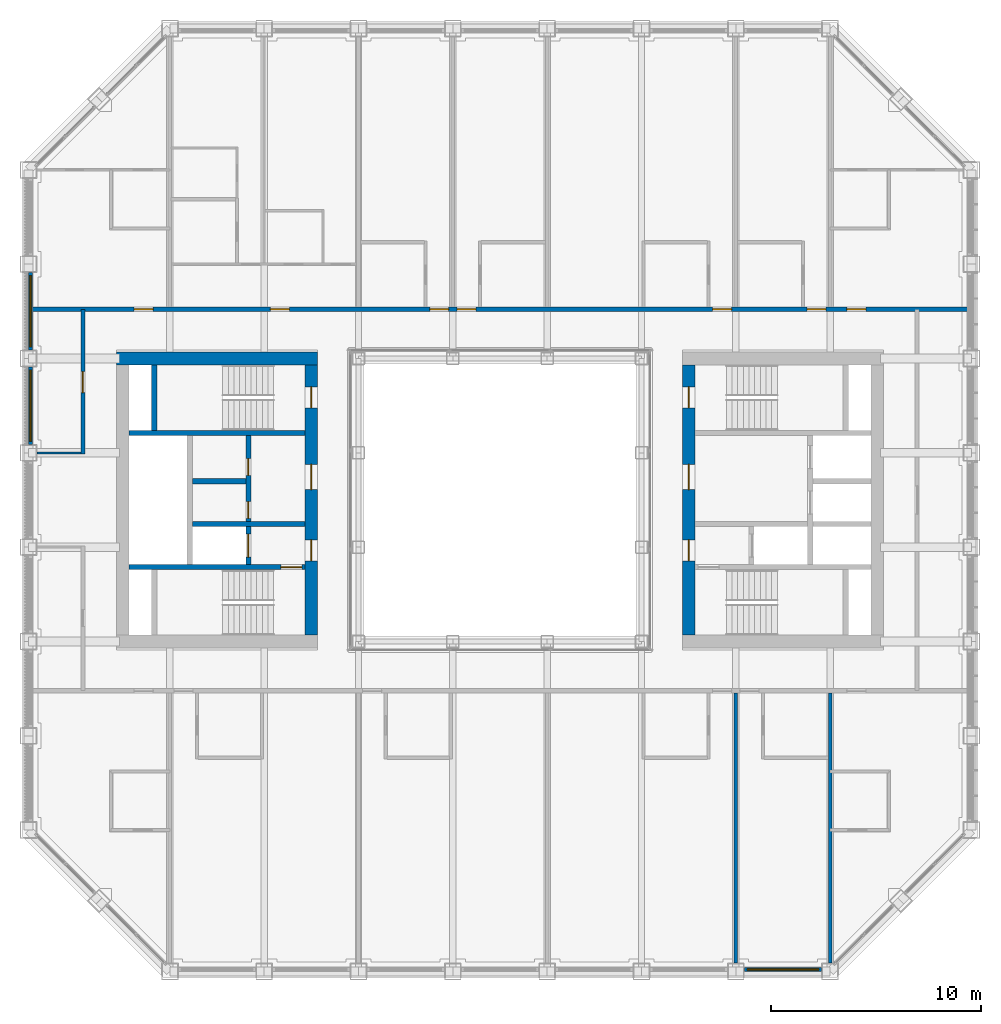
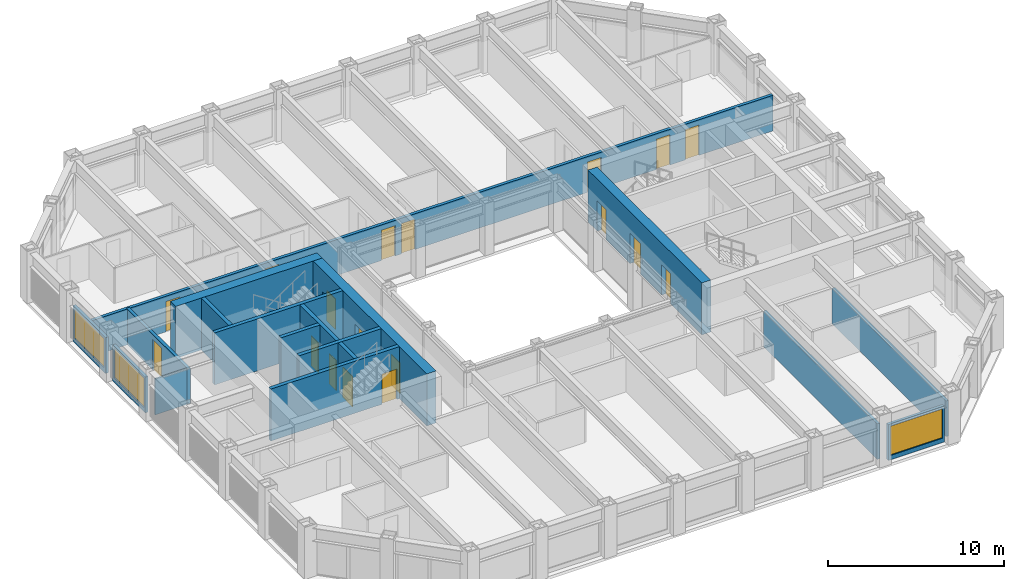
# One storey, part 11 of 17: 18 doors, 17 walls, 3 windows, 21 openings.
"""IFC4 building model written with IfcOpenShell, lengths in metres."""

from ifc_helpers import new_model, si_unit, direction, frame, frame_2d, origin, place, context, subcontext, project, spatial, rectangle, extrude, material, layer, layer_set, type_object, element, fill, save


model = new_model("IFC4")

# Units and contexts
model_context = context("Model", 3, precision=1e-05, world=origin(), true_north=direction((0.0, 1.0)))
body_context = subcontext(model_context, "Body", "Model", "MODEL_VIEW")
ifc_project = project(units=[si_unit("LENGTHUNIT", "METRE"), si_unit("AREAUNIT", "SQUARE_METRE"), si_unit("VOLUMEUNIT", "CUBIC_METRE"), si_unit("PLANEANGLEUNIT", "RADIAN"), si_unit("MASSUNIT", "GRAM", prefix="KILO")], contexts=[model_context])

# Site, building, storey
site_placement = place(None, origin())
site = spatial("IfcSite", under=ifc_project, at=site_placement, CompositionType="ELEMENT")
building_placement = place(site_placement, origin())
building = spatial("IfcBuilding", under=site, at=building_placement, Name="Msasa Ring Tower", CompositionType="ELEMENT")
storey_placement = place(building_placement, frame((0.0, 0.0, 176.0)))
storey = spatial("IfcBuildingStorey", under=building, at=storey_placement, Name="L46", CompositionType="ELEMENT", Elevation=176.0)

# Wall, openings, doors
ifc_material_1 = material(Name="Concrete C60/75", Category="concrete")
ifc_layer_1 = layer(ifc_material_1, 0.60009765625)
ifc_layer_set_1 = layer_set([ifc_layer_1], Name="CW2 CORE WALL 600")
wall_type_1 = type_object("IfcWallType", Name="CW2 CORE WALL 600", PredefinedType="SHEAR", material=ifc_layer_set_1)
wall_1_placement = place(storey_placement, frame((9.0, -6.449951171875, 0.0), z_axis=(0.0, 0.0, 1.0), x_axis=(0.0, 1.0, 0.0)))
wall_1 = element("IfcWall", 1, at=wall_1_placement, inside=storey, type_object=wall_type_1, Name="E core wall W L46", PredefinedType="SHEAR", context=body_context, shape_type="SweptSolid", body=[
    extrude(rectangle(XDim=12.89990234375, YDim=0.60009765625, at=frame_2d((6.449951171875, 0.0))), origin(), (0.0, 0.0, 1.0), 3.60009765625),
])
opening_1_placement = place(wall_1_placement, frame((3.550048828125, 0.0, 0.0)))
opening_1 = element("IfcOpeningElement", 2, at=opening_1_placement, cuts=wall_1, Name="Opening HF-030", PredefinedType="OPENING", context=body_context, shape_type="SweptSolid", body=[
    extrude(rectangle(XDim=1.0, YDim=2.10009765625, at=frame_2d((0.5, 1.050048828125))), frame((0.0, 0.31005859375, 0.0), z_axis=(0.0, -1.0, 0.0), x_axis=(1.0, 0.0, 0.0)), (0.0, 0.0, 1.0), 0.6201171875),
])
opening_2_placement = place(wall_1_placement, frame((6.949951171875, 0.0, 0.0)))
opening_2 = element("IfcOpeningElement", 3, at=opening_2_placement, cuts=wall_1, Name="Opening HF-026", PredefinedType="OPENING", context=body_context, shape_type="SweptSolid", body=[
    extrude(rectangle(XDim=1.199951171875, YDim=2.10009765625, at=frame_2d((0.60009765625, 1.050048828125))), frame((0.0, 0.31005859375, 0.0), z_axis=(0.0, -1.0, 0.0), x_axis=(1.0, 0.0, 0.0)), (0.0, 0.0, 1.0), 0.6201171875),
])
opening_3_placement = place(wall_1_placement, frame((10.85009765625, 0.0, 0.0)))
opening_3 = element("IfcOpeningElement", 4, at=opening_3_placement, cuts=wall_1, Name="Opening HF-023", PredefinedType="OPENING", context=body_context, shape_type="SweptSolid", body=[
    extrude(rectangle(XDim=1.0, YDim=2.10009765625, at=frame_2d((0.5, 1.050048828125))), frame((0.0, 0.31005859375, 0.0), z_axis=(0.0, -1.0, 0.0), x_axis=(1.0, 0.0, 0.0)), (0.0, 0.0, 1.0), 0.6201171875),
])
ifc_material_2 = material(Name="Timber door leaf in a steel frame", Category="steel")
door_type_1 = type_object("IfcDoorType", Name="D4 LOBBY DOOR 1000x2100", OperationType="SINGLE_SWING_LEFT", PredefinedType="DOOR", material=ifc_material_2)
door_1_placement = place(opening_1_placement, origin())
door_1 = element("IfcDoor", 5, at=door_1_placement, inside=storey, type_object=door_type_1, Name="Door L46-EFFL", OperationType="SINGLE_SWING_LEFT", OverallHeight=2.10009765625, OverallWidth=1.0, PredefinedType="DOOR", context=body_context, shape_type="SweptSolid", body=[
    extrude(rectangle(XDim=1.0, YDim=2.10009765625, at=frame_2d((0.5, 1.050048828125))), frame((0.0, 0.02490234375, 0.0), z_axis=(0.0, -1.0, 0.0), x_axis=(1.0, 0.0, 0.0)), (0.0, 0.0, 1.0), 0.050048828125),
])
fill(opening_1, door_1)
ifc_material_3 = material(Name="Timber door leaf in a steel frame", Category="steel")
door_type_2 = type_object("IfcDoorType", Name="D5 WIDE LOBBY DOOR 1200x2100", OperationType="SINGLE_SWING_LEFT", PredefinedType="DOOR", material=ifc_material_3)
door_2_placement = place(opening_2_placement, origin())
door_2 = element("IfcDoor", 6, at=door_2_placement, inside=storey, type_object=door_type_2, Name="Door L46-ELL", OperationType="SINGLE_SWING_RIGHT", OverallHeight=2.10009765625, OverallWidth=1.199951171875, PredefinedType="DOOR", context=body_context, shape_type="SweptSolid", body=[
    extrude(rectangle(XDim=1.199951171875, YDim=2.10009765625, at=frame_2d((0.60009765625, 1.050048828125))), frame((0.0, 0.02490234375, 0.0), z_axis=(0.0, -1.0, 0.0), x_axis=(1.0, 0.0, 0.0)), (0.0, 0.0, 1.0), 0.050048828125),
])
fill(opening_2, door_2)
ifc_material_4 = material(Name="Timber door leaf in a steel frame", Category="steel")
door_type_3 = type_object("IfcDoorType", Name="D6 STAIR DOOR 1000x2100", OperationType="SINGLE_SWING_LEFT", PredefinedType="DOOR", material=ifc_material_4)
door_3_placement = place(opening_3_placement, origin())
door_3 = element("IfcDoor", 7, at=door_3_placement, inside=storey, type_object=door_type_3, Name="Door L46-ESTB", OperationType="SINGLE_SWING_RIGHT", OverallHeight=2.10009765625, OverallWidth=1.0, PredefinedType="DOOR", context=body_context, shape_type="SweptSolid", body=[
    extrude(rectangle(XDim=1.0, YDim=2.10009765625, at=frame_2d((0.5, 1.050048828125))), frame((0.0, 0.02490234375, 0.0), z_axis=(0.0, -1.0, 0.0), x_axis=(1.0, 0.0, 0.0)), (0.0, 0.0, 1.0), 0.050048828125),
])
fill(opening_3, door_3)

# Wall
wall_2_placement = place(storey_placement, frame((-8.699951171875, 6.75, 0.0), z_axis=(0.0, 0.0, 1.0), x_axis=(-1.0, 0.0, 0.0)))
element("IfcWall", 8, at=wall_2_placement, inside=storey, type_object=wall_type_1, Name="W core wall N L46", PredefinedType="SHEAR", context=body_context, shape_type="SweptSolid", body=[
    extrude(rectangle(XDim=9.60009765625, YDim=0.60009765625, at=frame_2d((4.800048828125, 0.0))), origin(), (0.0, 0.0, 1.0), 3.60009765625),
])

# Wall, openings, doors
wall_3_placement = place(storey_placement, frame((-9.0, -6.449951171875, 0.0), z_axis=(0.0, 0.0, 1.0), x_axis=(0.0, 1.0, 0.0)))
wall_3 = element("IfcWall", 9, at=wall_3_placement, inside=storey, type_object=wall_type_1, Name="W core wall W L46", PredefinedType="SHEAR", context=body_context, shape_type="SweptSolid", body=[
    extrude(rectangle(XDim=12.89990234375, YDim=0.60009765625, at=frame_2d((6.449951171875, 0.0))), origin(), (0.0, 0.0, 1.0), 3.60009765625),
])
opening_4_placement = place(wall_3_placement, frame((3.550048828125, 0.0, 0.0)))
opening_4 = element("IfcOpeningElement", 10, at=opening_4_placement, cuts=wall_3, Name="Opening HF-029", PredefinedType="OPENING", context=body_context, shape_type="SweptSolid", body=[
    extrude(rectangle(XDim=1.0, YDim=2.10009765625, at=frame_2d((0.5, 1.050048828125))), frame((0.0, 0.31005859375, 0.0), z_axis=(0.0, -1.0, 0.0), x_axis=(1.0, 0.0, 0.0)), (0.0, 0.0, 1.0), 0.6201171875),
])
opening_5_placement = place(wall_3_placement, frame((6.949951171875, 0.0, 0.0)))
opening_5 = element("IfcOpeningElement", 11, at=opening_5_placement, cuts=wall_3, Name="Opening HF-025", PredefinedType="OPENING", context=body_context, shape_type="SweptSolid", body=[
    extrude(rectangle(XDim=1.199951171875, YDim=2.10009765625, at=frame_2d((0.60009765625, 1.050048828125))), frame((0.0, 0.31005859375, 0.0), z_axis=(0.0, -1.0, 0.0), x_axis=(1.0, 0.0, 0.0)), (0.0, 0.0, 1.0), 0.6201171875),
])
opening_6_placement = place(wall_3_placement, frame((10.85009765625, 0.0, 0.0)))
opening_6 = element("IfcOpeningElement", 12, at=opening_6_placement, cuts=wall_3, Name="Opening HF-022", PredefinedType="OPENING", context=body_context, shape_type="SweptSolid", body=[
    extrude(rectangle(XDim=1.0, YDim=2.10009765625, at=frame_2d((0.5, 1.050048828125))), frame((0.0, 0.31005859375, 0.0), z_axis=(0.0, -1.0, 0.0), x_axis=(1.0, 0.0, 0.0)), (0.0, 0.0, 1.0), 0.6201171875),
])
door_4_placement = place(opening_4_placement, origin())
door_4 = element("IfcDoor", 13, at=door_4_placement, inside=storey, type_object=door_type_1, Name="Door L46-WFFL", OperationType="SINGLE_SWING_LEFT", OverallHeight=2.10009765625, OverallWidth=1.0, PredefinedType="DOOR", context=body_context, shape_type="SweptSolid", body=[
    extrude(rectangle(XDim=1.0, YDim=2.10009765625, at=frame_2d((0.5, 1.050048828125))), frame((0.0, 0.02490234375, 0.0), z_axis=(0.0, -1.0, 0.0), x_axis=(1.0, 0.0, 0.0)), (0.0, 0.0, 1.0), 0.050048828125),
])
fill(opening_4, door_4)
door_5_placement = place(opening_5_placement, origin())
door_5 = element("IfcDoor", 14, at=door_5_placement, inside=storey, type_object=door_type_2, Name="Door L46-WLL", OperationType="SINGLE_SWING_RIGHT", OverallHeight=2.10009765625, OverallWidth=1.199951171875, PredefinedType="DOOR", context=body_context, shape_type="SweptSolid", body=[
    extrude(rectangle(XDim=1.199951171875, YDim=2.10009765625, at=frame_2d((0.60009765625, 1.050048828125))), frame((0.0, 0.02490234375, 0.0), z_axis=(0.0, -1.0, 0.0), x_axis=(1.0, 0.0, 0.0)), (0.0, 0.0, 1.0), 0.050048828125),
])
fill(opening_5, door_5)
door_6_placement = place(opening_6_placement, origin())
door_6 = element("IfcDoor", 15, at=door_6_placement, inside=storey, type_object=door_type_3, Name="Door L46-WSTB", OperationType="SINGLE_SWING_RIGHT", OverallHeight=2.10009765625, OverallWidth=1.0, PredefinedType="DOOR", context=body_context, shape_type="SweptSolid", body=[
    extrude(rectangle(XDim=1.0, YDim=2.10009765625, at=frame_2d((0.5, 1.050048828125))), frame((0.0, 0.02490234375, 0.0), z_axis=(0.0, -1.0, 0.0), x_axis=(1.0, 0.0, 0.0)), (0.0, 0.0, 1.0), 0.050048828125),
])
fill(opening_6, door_6)

# Wall, opening, door
ifc_material_5 = material(Name="Concrete C60/75", Category="concrete")
ifc_layer_2 = layer(ifc_material_5, 0.25)
ifc_layer_set_2 = layer_set([ifc_layer_2], Name="CW4 CORE INNER WALL 250")
wall_type_2 = type_object("IfcWallType", Name="CW4 CORE INNER WALL 250", PredefinedType="SHEAR", material=ifc_layer_set_2)
wall_4_placement = place(storey_placement, frame((-9.300048828125, -3.199951171875, 0.0), z_axis=(0.0, 0.0, 1.0), x_axis=(-1.0, 0.0, 0.0)))
wall_4 = element("IfcWall", 16, at=wall_4_placement, inside=storey, type_object=wall_type_2, Name="W core wall STAIRA L46", PredefinedType="SHEAR", context=body_context, shape_type="SweptSolid", body=[
    extrude(rectangle(XDim=8.39990234375, YDim=0.25, at=frame_2d((4.199951171875, 0.0))), origin(), (0.0, 0.0, 1.0), 3.60009765625),
])
opening_7_placement = place(wall_4_placement, frame((0.14990234375, 0.0, 0.0)))
opening_7 = element("IfcOpeningElement", 17, at=opening_7_placement, cuts=wall_4, Name="Opening HF-031", PredefinedType="OPENING", context=body_context, shape_type="SweptSolid", body=[
    extrude(rectangle(XDim=1.0, YDim=2.10009765625, at=frame_2d((0.5, 1.050048828125))), frame((0.0, 0.135009765625, 0.0), z_axis=(0.0, -1.0, 0.0), x_axis=(1.0, 0.0, 0.0)), (0.0, 0.0, 1.0), 0.27001953125),
])
door_7_placement = place(opening_7_placement, origin())
door_7 = element("IfcDoor", 18, at=door_7_placement, inside=storey, type_object=door_type_3, Name="Door L46-WSTA", OperationType="SINGLE_SWING_LEFT", OverallHeight=2.10009765625, OverallWidth=1.0, PredefinedType="DOOR", context=body_context, shape_type="SweptSolid", body=[
    extrude(rectangle(XDim=1.0, YDim=2.10009765625, at=frame_2d((0.5, 1.050048828125))), frame((0.0, 0.02490234375, 0.0), z_axis=(0.0, -1.0, 0.0), x_axis=(1.0, 0.0, 0.0)), (0.0, 0.0, 1.0), 0.050048828125),
])
fill(opening_7, door_7)

# Walls
wall_5_placement = place(storey_placement, frame((-9.300048828125, 3.199951171875, 0.0), z_axis=(0.0, 0.0, 1.0), x_axis=(-1.0, 0.0, 0.0)))
element("IfcWall", 19, at=wall_5_placement, inside=storey, type_object=wall_type_2, Name="W core wall STAIRB L46", PredefinedType="SHEAR", context=body_context, shape_type="SweptSolid", body=[
    extrude(rectangle(XDim=8.39990234375, YDim=0.25, at=frame_2d((4.199951171875, 0.0))), origin(), (0.0, 0.0, 1.0), 3.60009765625),
])
wall_6_placement = place(storey_placement, frame((-16.5, 3.324951171875, 0.0), z_axis=(0.0, 0.0, 1.0), x_axis=(0.0, 1.0, 0.0)))
element("IfcWall", 20, at=wall_6_placement, inside=storey, type_object=wall_type_2, Name="W core wall RISERB L46", PredefinedType="SHEAR", context=body_context, shape_type="SweptSolid", body=[
    extrude(rectangle(XDim=3.125, YDim=0.25, at=frame_2d((1.5625, 0.0))), origin(), (0.0, 0.0, 1.0), 3.60009765625),
])
wall_7_placement = place(storey_placement, frame((-9.300048828125, -1.14990234375, 0.0), z_axis=(0.0, 0.0, 1.0), x_axis=(-1.0, 0.0, 0.0)))
element("IfcWall", 21, at=wall_7_placement, inside=storey, type_object=wall_type_2, Name="W core wall FFL L46", PredefinedType="SHEAR", context=body_context, shape_type="SweptSolid", body=[
    extrude(rectangle(XDim=5.375, YDim=0.25, at=frame_2d((2.6875, 0.0))), origin(), (0.0, 0.0, 1.0), 3.60009765625),
])

# Wall, openings, doors
wall_8_placement = place(storey_placement, frame((-12.0, -3.074951171875, 0.0), z_axis=(0.0, 0.0, 1.0), x_axis=(0.0, 1.0, 0.0)))
wall_8 = element("IfcWall", 22, at=wall_8_placement, inside=storey, type_object=wall_type_2, Name="W core wall LOBBY L46", PredefinedType="SHEAR", context=body_context, shape_type="SweptSolid", body=[
    extrude(rectangle(XDim=6.14990234375, YDim=0.25, at=frame_2d((3.074951171875, 0.0))), origin(), (0.0, 0.0, 1.0), 3.60009765625),
])
opening_8_placement = place(wall_8_placement, frame((2.199951171875, 0.0, 0.0)))
opening_8 = element("IfcOpeningElement", 23, at=opening_8_placement, cuts=wall_8, Name="Opening HF-028", PredefinedType="OPENING", context=body_context, shape_type="SweptSolid", body=[
    extrude(rectangle(XDim=0.800048828125, YDim=2.10009765625, at=frame_2d((0.39990234375, 1.050048828125))), frame((0.0, 0.135009765625, 0.0), z_axis=(0.0, -1.0, 0.0), x_axis=(1.0, 0.0, 0.0)), (0.0, 0.0, 1.0), 0.27001953125),
])
opening_9_placement = place(wall_8_placement, frame((4.25, 0.0, 0.0)))
opening_9 = element("IfcOpeningElement", 24, at=opening_9_placement, cuts=wall_8, Name="Opening HF-024", PredefinedType="OPENING", context=body_context, shape_type="SweptSolid", body=[
    extrude(rectangle(XDim=0.800048828125, YDim=2.10009765625, at=frame_2d((0.39990234375, 1.050048828125))), frame((0.0, 0.135009765625, 0.0), z_axis=(0.0, -1.0, 0.0), x_axis=(1.0, 0.0, 0.0)), (0.0, 0.0, 1.0), 0.27001953125),
])
opening_10_placement = place(wall_8_placement, frame((0.35009765625, 0.0, 0.0)))
opening_10 = element("IfcOpeningElement", 25, at=opening_10_placement, cuts=wall_8, Name="Opening LD1", PredefinedType="OPENING", context=body_context, shape_type="SweptSolid", body=[
    extrude(rectangle(XDim=1.10009765625, YDim=2.10009765625, at=frame_2d((0.550048828125, 1.050048828125))), frame((0.0, 0.135009765625, 0.0), z_axis=(0.0, -1.0, 0.0), x_axis=(1.0, 0.0, 0.0)), (0.0, 0.0, 1.0), 0.27001953125),
])
ifc_material_6 = material(Name="Timber door leaf in a steel frame", Category="steel")
door_type_4 = type_object("IfcDoorType", Name="D9 NARROW SERVICE DOOR 800x2100", OperationType="SINGLE_SWING_LEFT", PredefinedType="DOOR", material=ifc_material_6)
door_8_placement = place(opening_8_placement, origin())
door_8 = element("IfcDoor", 26, at=door_8_placement, inside=storey, type_object=door_type_4, Name="Door L46-WR1", OperationType="SINGLE_SWING_LEFT", OverallHeight=2.10009765625, OverallWidth=0.800048828125, PredefinedType="DOOR", context=body_context, shape_type="SweptSolid", body=[
    extrude(rectangle(XDim=0.800048828125, YDim=2.10009765625, at=frame_2d((0.39990234375, 1.050048828125))), frame((0.0, 0.02490234375, 0.0), z_axis=(0.0, -1.0, 0.0), x_axis=(1.0, 0.0, 0.0)), (0.0, 0.0, 1.0), 0.050048828125),
])
fill(opening_8, door_8)
door_9_placement = place(opening_9_placement, origin())
door_9 = element("IfcDoor", 27, at=door_9_placement, inside=storey, type_object=door_type_4, Name="Door L46-WR2", OperationType="SINGLE_SWING_RIGHT", OverallHeight=2.10009765625, OverallWidth=0.800048828125, PredefinedType="DOOR", context=body_context, shape_type="SweptSolid", body=[
    extrude(rectangle(XDim=0.800048828125, YDim=2.10009765625, at=frame_2d((0.39990234375, 1.050048828125))), frame((0.0, 0.02490234375, 0.0), z_axis=(0.0, -1.0, 0.0), x_axis=(1.0, 0.0, 0.0)), (0.0, 0.0, 1.0), 0.050048828125),
])
fill(opening_9, door_9)
ifc_material_7 = material(Name="Stainless steel lift landing door", Category="steel")
door_type_5 = type_object("IfcDoorType", Name="LD1 LIFT LANDING DOOR 1100x2100", OperationType="DOUBLE_DOOR_SLIDING", PredefinedType="DOOR", material=ifc_material_7)
door_10_placement = place(opening_10_placement, origin())
door_10 = element("IfcDoor", 28, at=door_10_placement, inside=storey, type_object=door_type_5, Name="Lift landing door FL-W L46", OperationType="DOUBLE_DOOR_SLIDING", OverallHeight=2.10009765625, OverallWidth=1.10009765625, PredefinedType="DOOR", context=body_context, shape_type="SweptSolid", body=[
    extrude(rectangle(XDim=1.10009765625, YDim=2.10009765625, at=frame_2d((0.550048828125, 1.050048828125))), frame((0.0, 0.02490234375, 0.0), z_axis=(0.0, -1.0, 0.0), x_axis=(1.0, 0.0, 0.0)), (0.0, 0.0, 1.0), 0.050048828125),
])
fill(opening_10, door_10)

# Wall
wall_9_placement = place(storey_placement, frame((-12.125, 0.89990234375, 0.0), z_axis=(0.0, 0.0, 1.0), x_axis=(-1.0, 0.0, 0.0)))
element("IfcWall", 29, at=wall_9_placement, inside=storey, type_object=wall_type_2, Name="W core wall LIFT1 L46", PredefinedType="SHEAR", context=body_context, shape_type="SweptSolid", body=[
    extrude(rectangle(XDim=2.550048828125, YDim=0.25, at=frame_2d((1.27490234375, 0.0))), origin(), (0.0, 0.0, 1.0), 3.60009765625),
])

# Wall, opening, window
ifc_material_8 = material(Name="Terracotta rainscreen on blockwork", Category="masonry")
ifc_layer_3 = layer(ifc_material_8, 0.199951171875)
ifc_layer_set_3 = layer_set([ifc_layer_3], Name="FW1 TERRACOTTA-LINED INFILL BAY WALL 200")
wall_type_3 = type_object("IfcWallType", Name="FW1 TERRACOTTA-LINED INFILL BAY WALL 200", PredefinedType="SOLIDWALL", material=ifc_layer_set_3)
wall_10_placement = place(storey_placement, frame((11.655029296875, -22.39990234375, 0.0), z_axis=(0.0, 0.0, 1.0), x_axis=(1.0, 0.0, 0.0)))
wall_10 = element("IfcWall", 30, at=wall_10_placement, inside=storey, type_object=wall_type_3, Name="Infill bay wall S L46 06", PredefinedType="SOLIDWALL", context=body_context, shape_type="SweptSolid", body=[
    extrude(rectangle(XDim=3.68994140625, YDim=0.199951171875, at=frame_2d((1.844970703125, 0.0))), origin(), (0.0, 0.0, 1.0), 2.47900390625),
])
opening_11_placement = place(wall_10_placement, frame((0.14501953125, 0.0, 0.300048828125)))
opening_11 = element("IfcOpeningElement", 31, at=opening_11_placement, cuts=wall_10, Name="Opening WN2", PredefinedType="OPENING", context=body_context, shape_type="SweptSolid", body=[
    extrude(rectangle(XDim=3.39990234375, YDim=2.029052734375, at=frame_2d((1.699951171875, 1.0146484375))), frame((0.0, 0.10986328125, 0.0), z_axis=(0.0, -1.0, 0.0), x_axis=(1.0, 0.0, 0.0)), (0.0, 0.0, 1.0), 0.219970703125),
])
ifc_material_9 = material(Name="Aluminium frame with clear glass", Category="aluminium")
window_type = type_object("IfcWindowType", Name="WN2 GUEST ROOM WINDOW 3400x2029", PartitioningType="SINGLE_PANEL", PredefinedType="WINDOW", material=ifc_material_9)
window_1_placement = place(opening_11_placement, origin())
window_1 = element("IfcWindow", 32, at=window_1_placement, inside=storey, type_object=window_type, Name="Window S L46 06", OverallHeight=2.029052734375, OverallWidth=3.39990234375, PartitioningType="SINGLE_PANEL", PredefinedType="WINDOW", context=body_context, shape_type="SweptSolid", body=[
    extrude(rectangle(XDim=3.39990234375, YDim=2.029052734375, at=frame_2d((1.699951171875, 1.0146484375))), frame((0.0, 0.030029296875, 0.0), z_axis=(0.0, -1.0, 0.0), x_axis=(1.0, 0.0, 0.0)), (0.0, 0.0, 1.0), 0.06005859375),
])
fill(opening_11, window_1)

wall_11_placement = place(storey_placement, frame((-22.39990234375, 2.655029296875, 0.0), z_axis=(0.0, 0.0, 1.0), x_axis=(0.0, 1.0, 0.0)))
wall_11 = element("IfcWall", 33, at=wall_11_placement, inside=storey, type_object=wall_type_3, Name="Infill bay wall W L46 31", PredefinedType="SOLIDWALL", context=body_context, shape_type="SweptSolid", body=[
    extrude(rectangle(XDim=3.68994140625, YDim=0.199951171875, at=frame_2d((1.844970703125, 0.0))), origin(), (0.0, 0.0, 1.0), 2.47900390625),
])
opening_12_placement = place(wall_11_placement, frame((0.14501953125, 0.0, 0.300048828125)))
opening_12 = element("IfcOpeningElement", 34, at=opening_12_placement, cuts=wall_11, Name="Opening WN2", PredefinedType="OPENING", context=body_context, shape_type="SweptSolid", body=[
    extrude(rectangle(XDim=3.39990234375, YDim=2.029052734375, at=frame_2d((1.699951171875, 1.0146484375))), frame((0.0, 0.10986328125, 0.0), z_axis=(0.0, -1.0, 0.0), x_axis=(1.0, 0.0, 0.0)), (0.0, 0.0, 1.0), 0.219970703125),
])
window_2_placement = place(opening_12_placement, origin())
window_2 = element("IfcWindow", 35, at=window_2_placement, inside=storey, type_object=window_type, Name="Window W L46 31", OverallHeight=2.029052734375, OverallWidth=3.39990234375, PartitioningType="SINGLE_PANEL", PredefinedType="WINDOW", context=body_context, shape_type="SweptSolid", body=[
    extrude(rectangle(XDim=3.39990234375, YDim=2.029052734375, at=frame_2d((1.699951171875, 1.0146484375))), frame((0.0, 0.030029296875, 0.0), z_axis=(0.0, -1.0, 0.0), x_axis=(1.0, 0.0, 0.0)), (0.0, 0.0, 1.0), 0.06005859375),
])
fill(opening_12, window_2)

wall_12_placement = place(storey_placement, frame((-22.39990234375, 7.155029296875, 0.0), z_axis=(0.0, 0.0, 1.0), x_axis=(0.0, 1.0, 0.0)))
wall_12 = element("IfcWall", 36, at=wall_12_placement, inside=storey, type_object=wall_type_3, Name="Infill bay wall W L46 32", PredefinedType="SOLIDWALL", context=body_context, shape_type="SweptSolid", body=[
    extrude(rectangle(XDim=3.68994140625, YDim=0.199951171875, at=frame_2d((1.844970703125, 0.0))), origin(), (0.0, 0.0, 1.0), 2.47900390625),
])
opening_13_placement = place(wall_12_placement, frame((0.14501953125, 0.0, 0.300048828125)))
opening_13 = element("IfcOpeningElement", 37, at=opening_13_placement, cuts=wall_12, Name="Opening WN2", PredefinedType="OPENING", context=body_context, shape_type="SweptSolid", body=[
    extrude(rectangle(XDim=3.39990234375, YDim=2.029052734375, at=frame_2d((1.699951171875, 1.0146484375))), frame((0.0, 0.10986328125, 0.0), z_axis=(0.0, -1.0, 0.0), x_axis=(1.0, 0.0, 0.0)), (0.0, 0.0, 1.0), 0.219970703125),
])
window_3_placement = place(opening_13_placement, origin())
window_3 = element("IfcWindow", 38, at=window_3_placement, inside=storey, type_object=window_type, Name="Window W L46 32", OverallHeight=2.029052734375, OverallWidth=3.39990234375, PartitioningType="SINGLE_PANEL", PredefinedType="WINDOW", context=body_context, shape_type="SweptSolid", body=[
    extrude(rectangle(XDim=3.39990234375, YDim=2.029052734375, at=frame_2d((1.699951171875, 1.0146484375))), frame((0.0, 0.030029296875, 0.0), z_axis=(0.0, -1.0, 0.0), x_axis=(1.0, 0.0, 0.0)), (0.0, 0.0, 1.0), 0.06005859375),
])
fill(opening_13, window_3)

# Wall, openings, doors
ifc_material_10 = material(Name="Concrete blockwork", Category="masonry")
ifc_layer_4 = layer(ifc_material_10, 0.199951171875)
ifc_layer_set_4 = layer_set([ifc_layer_4], Name="PT1 CORRIDOR WALL 200")
wall_type_4 = type_object("IfcWallType", Name="PT1 CORRIDOR WALL 200", PredefinedType="PARTITIONING", material=ifc_layer_set_4)
wall_13_placement = place(storey_placement, frame((-22.300048828125, 9.10009765625, 0.0), z_axis=(0.0, 0.0, 1.0), x_axis=(1.0, 0.0, 0.0)))
wall_13 = element("IfcWall", 39, at=wall_13_placement, inside=storey, type_object=wall_type_4, Name="Corridor wall L46-CORRN0", PredefinedType="PARTITIONING", context=body_context, shape_type="SweptSolid", body=[
    extrude(rectangle(XDim=44.60009765625, YDim=0.199951171875, at=frame_2d((22.300048828125, 0.0))), origin(), (0.0, 0.0, 1.0), 2.473388671875),
])
opening_14_placement = place(wall_13_placement, frame((11.35009765625, 0.0, 0.0)))
opening_14 = element("IfcOpeningElement", 40, at=opening_14_placement, cuts=wall_13, Name="Opening HF-015", PredefinedType="OPENING", context=body_context, shape_type="SweptSolid", body=[
    extrude(rectangle(XDim=0.89990234375, YDim=2.10009765625, at=frame_2d((0.449951171875, 1.050048828125))), frame((0.0, 0.10986328125, 0.0), z_axis=(0.0, -1.0, 0.0), x_axis=(1.0, 0.0, 0.0)), (0.0, 0.0, 1.0), 0.219970703125),
])
opening_15_placement = place(wall_13_placement, frame((18.949951171875, 0.0, 0.0)))
opening_15 = element("IfcOpeningElement", 41, at=opening_15_placement, cuts=wall_13, Name="Opening HF-016", PredefinedType="OPENING", context=body_context, shape_type="SweptSolid", body=[
    extrude(rectangle(XDim=0.89990234375, YDim=2.10009765625, at=frame_2d((0.449951171875, 1.050048828125))), frame((0.0, 0.10986328125, 0.0), z_axis=(0.0, -1.0, 0.0), x_axis=(1.0, 0.0, 0.0)), (0.0, 0.0, 1.0), 0.219970703125),
])
opening_16_placement = place(wall_13_placement, frame((20.25, 0.0, 0.0)))
opening_16 = element("IfcOpeningElement", 42, at=opening_16_placement, cuts=wall_13, Name="Opening HF-017", PredefinedType="OPENING", context=body_context, shape_type="SweptSolid", body=[
    extrude(rectangle(XDim=0.89990234375, YDim=2.10009765625, at=frame_2d((0.449951171875, 1.050048828125))), frame((0.0, 0.10986328125, 0.0), z_axis=(0.0, -1.0, 0.0), x_axis=(1.0, 0.0, 0.0)), (0.0, 0.0, 1.0), 0.219970703125),
])
opening_17_placement = place(wall_13_placement, frame((32.449951171875, 0.0, 0.0)))
opening_17 = element("IfcOpeningElement", 43, at=opening_17_placement, cuts=wall_13, Name="Opening HF-018", PredefinedType="OPENING", context=body_context, shape_type="SweptSolid", body=[
    extrude(rectangle(XDim=0.89990234375, YDim=2.10009765625, at=frame_2d((0.449951171875, 1.050048828125))), frame((0.0, 0.10986328125, 0.0), z_axis=(0.0, -1.0, 0.0), x_axis=(1.0, 0.0, 0.0)), (0.0, 0.0, 1.0), 0.219970703125),
])
opening_18_placement = place(wall_13_placement, frame((36.949951171875, 0.0, 0.0)))
opening_18 = element("IfcOpeningElement", 44, at=opening_18_placement, cuts=wall_13, Name="Opening HF-019", PredefinedType="OPENING", context=body_context, shape_type="SweptSolid", body=[
    extrude(rectangle(XDim=0.89990234375, YDim=2.10009765625, at=frame_2d((0.449951171875, 1.050048828125))), frame((0.0, 0.10986328125, 0.0), z_axis=(0.0, -1.0, 0.0), x_axis=(1.0, 0.0, 0.0)), (0.0, 0.0, 1.0), 0.219970703125),
])
opening_19_placement = place(wall_13_placement, frame((38.85009765625, 0.0, 0.0)))
opening_19 = element("IfcOpeningElement", 45, at=opening_19_placement, cuts=wall_13, Name="Opening HF-020", PredefinedType="OPENING", context=body_context, shape_type="SweptSolid", body=[
    extrude(rectangle(XDim=0.89990234375, YDim=2.10009765625, at=frame_2d((0.449951171875, 1.050048828125))), frame((0.0, 0.10986328125, 0.0), z_axis=(0.0, -1.0, 0.0), x_axis=(1.0, 0.0, 0.0)), (0.0, 0.0, 1.0), 0.219970703125),
])
opening_20_placement = place(wall_13_placement, frame((4.85009765625, 0.0, 0.0)))
opening_20 = element("IfcOpeningElement", 46, at=opening_20_placement, cuts=wall_13, Name="Opening HF-014", PredefinedType="OPENING", context=body_context, shape_type="SweptSolid", body=[
    extrude(rectangle(XDim=0.89990234375, YDim=2.10009765625, at=frame_2d((0.449951171875, 1.050048828125))), frame((0.0, 0.10986328125, 0.0), z_axis=(0.0, -1.0, 0.0), x_axis=(1.0, 0.0, 0.0)), (0.0, 0.0, 1.0), 0.219970703125),
])
ifc_material_11 = material(Name="Timber door leaf in a steel frame", Category="steel")
door_type_6 = type_object("IfcDoorType", Name="D1 SINGLE DOOR TO CORRIDOR 900x2100", OperationType="SINGLE_SWING_LEFT", PredefinedType="DOOR", material=ifc_material_11)
door_11_placement = place(opening_15_placement, origin())
door_11 = element("IfcDoor", 47, at=door_11_placement, inside=storey, type_object=door_type_6, Name="Door L46-GN01", OperationType="SINGLE_SWING_LEFT", OverallHeight=2.10009765625, OverallWidth=0.89990234375, PredefinedType="DOOR", context=body_context, shape_type="SweptSolid", body=[
    extrude(rectangle(XDim=0.89990234375, YDim=2.10009765625, at=frame_2d((0.449951171875, 1.050048828125))), frame((0.0, 0.02490234375, 0.0), z_axis=(0.0, -1.0, 0.0), x_axis=(1.0, 0.0, 0.0)), (0.0, 0.0, 1.0), 0.050048828125),
])
fill(opening_15, door_11)
door_12_placement = place(opening_16_placement, origin())
door_12 = element("IfcDoor", 48, at=door_12_placement, inside=storey, type_object=door_type_6, Name="Door L46-GN02", OperationType="SINGLE_SWING_LEFT", OverallHeight=2.10009765625, OverallWidth=0.89990234375, PredefinedType="DOOR", context=body_context, shape_type="SweptSolid", body=[
    extrude(rectangle(XDim=0.89990234375, YDim=2.10009765625, at=frame_2d((0.449951171875, 1.050048828125))), frame((0.0, 0.02490234375, 0.0), z_axis=(0.0, -1.0, 0.0), x_axis=(1.0, 0.0, 0.0)), (0.0, 0.0, 1.0), 0.050048828125),
])
fill(opening_16, door_12)
door_13_placement = place(opening_17_placement, origin())
door_13 = element("IfcDoor", 49, at=door_13_placement, inside=storey, type_object=door_type_6, Name="Door L46-GN03", OperationType="SINGLE_SWING_RIGHT", OverallHeight=2.10009765625, OverallWidth=0.89990234375, PredefinedType="DOOR", context=body_context, shape_type="SweptSolid", body=[
    extrude(rectangle(XDim=0.89990234375, YDim=2.10009765625, at=frame_2d((0.449951171875, 1.050048828125))), frame((0.0, 0.02490234375, 0.0), z_axis=(0.0, -1.0, 0.0), x_axis=(1.0, 0.0, 0.0)), (0.0, 0.0, 1.0), 0.050048828125),
])
fill(opening_17, door_13)
door_14_placement = place(opening_18_placement, origin())
door_14 = element("IfcDoor", 50, at=door_14_placement, inside=storey, type_object=door_type_6, Name="Door L46-GN04", OperationType="SINGLE_SWING_RIGHT", OverallHeight=2.10009765625, OverallWidth=0.89990234375, PredefinedType="DOOR", context=body_context, shape_type="SweptSolid", body=[
    extrude(rectangle(XDim=0.89990234375, YDim=2.10009765625, at=frame_2d((0.449951171875, 1.050048828125))), frame((0.0, 0.02490234375, 0.0), z_axis=(0.0, -1.0, 0.0), x_axis=(1.0, 0.0, 0.0)), (0.0, 0.0, 1.0), 0.050048828125),
])
fill(opening_18, door_14)
ifc_material_12 = material(Name="Timber door leaf in a steel frame", Category="steel")
door_type_7 = type_object("IfcDoorType", Name="D2 ENTRANCE DOOR 900x2100", OperationType="SINGLE_SWING_LEFT", PredefinedType="DOOR", material=ifc_material_12)
door_15_placement = place(opening_14_placement, origin())
door_15 = element("IfcDoor", 51, at=door_15_placement, inside=storey, type_object=door_type_7, Name="Door L46-GN00", OperationType="SINGLE_SWING_LEFT", OverallHeight=2.10009765625, OverallWidth=0.89990234375, PredefinedType="DOOR", context=body_context, shape_type="SweptSolid", body=[
    extrude(rectangle(XDim=0.89990234375, YDim=2.10009765625, at=frame_2d((0.449951171875, 1.050048828125))), frame((0.0, 0.02490234375, 0.0), z_axis=(0.0, -1.0, 0.0), x_axis=(1.0, 0.0, 0.0)), (0.0, 0.0, 1.0), 0.050048828125),
])
fill(opening_14, door_15)
door_16_placement = place(opening_19_placement, origin())
door_16 = element("IfcDoor", 52, at=door_16_placement, inside=storey, type_object=door_type_7, Name="Door L46-CSNE", OperationType="SINGLE_SWING_RIGHT", OverallHeight=2.10009765625, OverallWidth=0.89990234375, PredefinedType="DOOR", context=body_context, shape_type="SweptSolid", body=[
    extrude(rectangle(XDim=0.89990234375, YDim=2.10009765625, at=frame_2d((0.449951171875, 1.050048828125))), frame((0.0, 0.02490234375, 0.0), z_axis=(0.0, -1.0, 0.0), x_axis=(1.0, 0.0, 0.0)), (0.0, 0.0, 1.0), 0.050048828125),
])
fill(opening_19, door_16)
door_17_placement = place(opening_20_placement, origin())
door_17 = element("IfcDoor", 53, at=door_17_placement, inside=storey, type_object=door_type_7, Name="Door L46-CSNW", OperationType="SINGLE_SWING_LEFT", OverallHeight=2.10009765625, OverallWidth=0.89990234375, PredefinedType="DOOR", context=body_context, shape_type="SweptSolid", body=[
    extrude(rectangle(XDim=0.89990234375, YDim=2.10009765625, at=frame_2d((0.449951171875, 1.050048828125))), frame((0.0, 0.02490234375, 0.0), z_axis=(0.0, -1.0, 0.0), x_axis=(1.0, 0.0, 0.0)), (0.0, 0.0, 1.0), 0.050048828125),
])
fill(opening_20, door_17)

# Wall, opening, door
wall_14_placement = place(storey_placement, frame((-19.89990234375, 2.199951171875, 0.0), z_axis=(0.0, 0.0, 1.0), x_axis=(0.0, 1.0, 0.0)))
wall_14 = element("IfcWall", 54, at=wall_14_placement, inside=storey, type_object=wall_type_4, Name="Corridor wall L46-STRWN", PredefinedType="PARTITIONING", context=body_context, shape_type="SweptSolid", body=[
    extrude(rectangle(XDim=6.900146484375, YDim=0.199951171875, at=frame_2d((3.4501953125, 0.0))), origin(), (0.0, 0.0, 1.0), 2.473388671875),
])
opening_21_placement = place(wall_14_placement, frame((2.925048828125, 0.0, 0.0)))
opening_21 = element("IfcOpeningElement", 55, at=opening_21_placement, cuts=wall_14, Name="Opening HF-021", PredefinedType="OPENING", context=body_context, shape_type="SweptSolid", body=[
    extrude(rectangle(XDim=1.0, YDim=2.10009765625, at=frame_2d((0.5, 1.050048828125))), frame((0.0, 0.10986328125, 0.0), z_axis=(0.0, -1.0, 0.0), x_axis=(1.0, 0.0, 0.0)), (0.0, 0.0, 1.0), 0.219970703125),
])
ifc_material_13 = material(Name="Timber door leaf in a steel frame", Category="steel")
door_type_8 = type_object("IfcDoorType", Name="D10 STORE DOOR 1000x2100", OperationType="SINGLE_SWING_LEFT", PredefinedType="DOOR", material=ifc_material_13)
door_18_placement = place(opening_21_placement, origin())
door_18 = element("IfcDoor", 56, at=door_18_placement, inside=storey, type_object=door_type_8, Name="Door L46-LGW", OperationType="SINGLE_SWING_LEFT", OverallHeight=2.10009765625, OverallWidth=1.0, PredefinedType="DOOR", context=body_context, shape_type="SweptSolid", body=[
    extrude(rectangle(XDim=1.0, YDim=2.10009765625, at=frame_2d((0.5, 1.050048828125))), frame((0.0, 0.02490234375, 0.0), z_axis=(0.0, -1.0, 0.0), x_axis=(1.0, 0.0, 0.0)), (0.0, 0.0, 1.0), 0.050048828125),
])
fill(opening_21, door_18)

# Walls
ifc_material_14 = material(Name="Gypsum board on steel studs", Category="steel")
ifc_layer_5 = layer(ifc_material_14, 0.10009765625)
ifc_layer_set_5 = layer_set([ifc_layer_5], Name="PT2 STUD PARTITION 100")
wall_type_5 = type_object("IfcWallType", Name="PT2 STUD PARTITION 100", PredefinedType="PARTITIONING", material=ifc_layer_set_5)
wall_15_placement = place(storey_placement, frame((-22.10009765625, 2.25, 0.0), z_axis=(0.0, 0.0, 1.0), x_axis=(1.0, 0.0, 0.0)))
element("IfcWall", 57, at=wall_15_placement, inside=storey, type_object=wall_type_5, Name="Partition L46-ALWN", PredefinedType="PARTITIONING", context=body_context, shape_type="SweptSolid", body=[
    extrude(rectangle(XDim=2.10009765625, YDim=0.10009765625, at=frame_2d((1.050048828125, 0.0))), origin(), (0.0, 0.0, 1.0), 2.473388671875),
])
ifc_material_15 = material(Name="Twin steel studs, two layers of acoustic board each face, mineral wool", Category="steel")
ifc_layer_6 = layer(ifc_material_15, 0.175048828125)
ifc_layer_set_6 = layer_set([ifc_layer_6], Name="PT5 GUEST ROOM SEPARATING WALL 175")
wall_type_6 = type_object("IfcWallType", Name="PT5 GUEST ROOM SEPARATING WALL 175", PredefinedType="PARTITIONING", material=ifc_layer_set_6)
for number, where, z_axis, x_axis, name in (
    (58, (11.25, -22.10009765625, 0.0), (0.0, 0.0, 1.0), (0.0, 1.0, 0.0), "Partition L46-PWS+11.25"),
    (59, (15.75, -22.10009765625, 0.0), (0.0, 0.0, 1.0), (0.0, 1.0, 0.0), "Partition L46-PWS+15.75"),
):
    element("IfcWall", number, at=place(storey_placement, frame(where, z_axis=z_axis, x_axis=x_axis)), inside=storey, type_object=wall_type_6, Name=name, PredefinedType="PARTITIONING", context=body_context, shape_type="SweptSolid", body=[
        extrude(rectangle(XDim=12.900146484375, YDim=0.175048828125, at=frame_2d((6.4501953125, 0.0))), origin(), (0.0, 0.0, 1.0), 2.473388671875),
    ])

save(model, "model.ifc")
